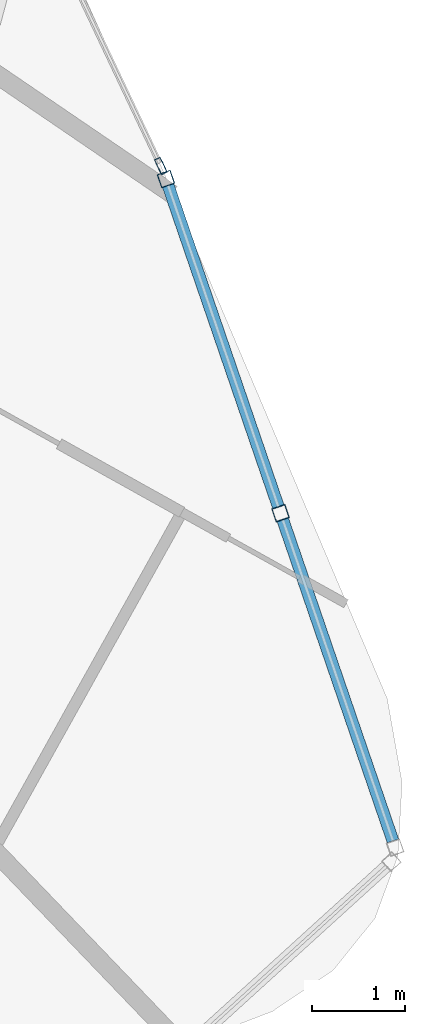
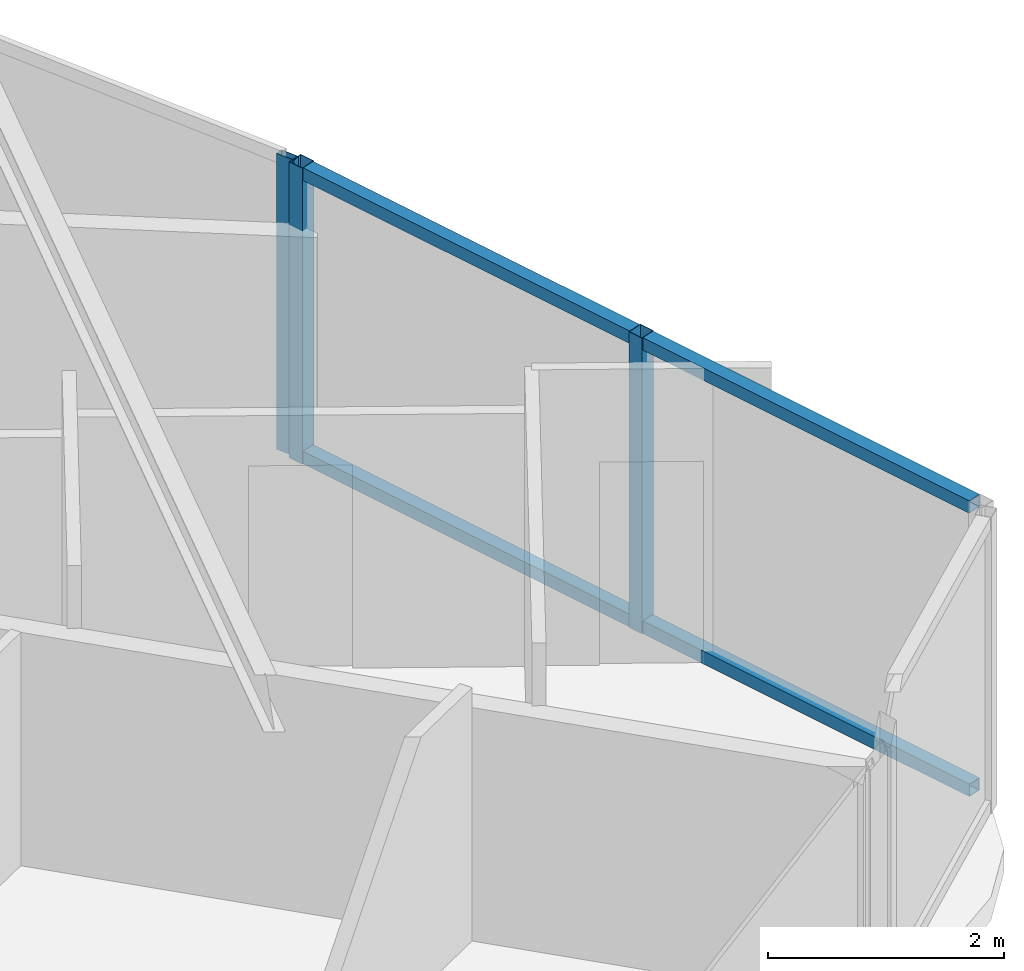
# One storey, part 16 of 34: 7 members, 2 elements without a shape of their own.
"""IFC4 building model written with IfcOpenShell, lengths in metres."""

from ifc_helpers import new_model, si_unit, direction, frame, origin, origin_2d, place, context, subcontext, project, spatial, hollow_rectangle, extrude, material, layer, layer_set, material_profile, profile_set, type_object, element, aggregate, save


model = new_model("IFC4")

# Units and contexts
model_context = context("Model", 3, precision=1e-05, world=origin(), true_north=direction((0.0, 1.0)))
body_context = subcontext(model_context, "Body", "Model", "MODEL_VIEW")
ifc_project = project(units=[si_unit("LENGTHUNIT", "METRE"), si_unit("AREAUNIT", "SQUARE_METRE"), si_unit("VOLUMEUNIT", "CUBIC_METRE"), si_unit("PLANEANGLEUNIT", "RADIAN"), si_unit("MASSUNIT", "GRAM", prefix="KILO")], contexts=[model_context])

# Site, building, storey
site_placement = place(None, origin())
site = spatial("IfcSite", under=ifc_project, at=site_placement, CompositionType="ELEMENT")
building_placement = place(site_placement, origin())
building = spatial("IfcBuilding", under=site, at=building_placement, Name="Orvanel Arch Residences", CompositionType="ELEMENT")
storey_placement = place(building_placement, frame((0.0, 0.0, 74.14990234375)))
storey = spatial("IfcBuildingStorey", under=building, at=storey_placement, Name="L20", CompositionType="ELEMENT", Elevation=74.14990234375)

# Curtain wall, members
ifc_material = material(Name="Bronze-anodised aluminium AA6063-T6", Category="aluminium")
ifc_layer_1 = layer(ifc_material, 0.18994140625)
ifc_layer_set_1 = layer_set([ifc_layer_1], Name="Bronze-anodised aluminium AA6063-T6")
curtain_wall_type_1 = type_object("IfcCurtainWallType", Name="CW5-CRN-SYS", PredefinedType="NOTDEFINED", material=ifc_layer_set_1)
curtain_wall_1_placement = place(storey_placement, origin())
curtain_wall_1 = element("IfcCurtainWall", 1, at=curtain_wall_1_placement, inside=storey, type_object=curtain_wall_type_1, Name="L20 CW5-CRN-SYS Unitised Curtain Wall", PredefinedType="NOTDEFINED")
ifc_material_profile_1 = material_profile(ifc_material, hollow_rectangle(XDim=0.14990234375, YDim=0.14990234375, WallThickness=0.0048828125, at=origin_2d()), Name="ALU150x150x5")
ifc_profile_set_1 = profile_set([ifc_material_profile_1], Name="Bronze-anodised aluminium AA6063-T6")
member_type_1 = type_object("IfcMemberType", Name="MUL-150x150", PredefinedType="MULLION", material=ifc_profile_set_1)
member_1_placement = place(storey_placement, frame((59.3359375, 9.900390625, 0.0), z_axis=(0.0, 0.0, 1.0), x_axis=(-0.945912167236, -0.324422828844, 0.0)))
member_1 = element("IfcMember", 2, at=member_1_placement, type_object=member_type_1, Name="CW-S5 mullion 2", PredefinedType="MULLION", context=body_context, shape_type="SweptSolid", body=[
    extrude(hollow_rectangle(XDim=0.14990234375, YDim=0.14990234375, WallThickness=0.0048828125, at=origin_2d()), origin(), (0.0, 0.0, 1.0), 3.06005859375),
])
member_2_placement = place(storey_placement, frame((58.097412109375, 13.511962890625, 0.0), z_axis=(0.0, 0.0, 1.0), x_axis=(-0.945912167236, -0.324422828844, 0.0)))
member_2 = element("IfcMember", 3, at=member_2_placement, type_object=member_type_1, Name="CW-S5 mullion 3", PredefinedType="MULLION", context=body_context, shape_type="SweptSolid", body=[
    extrude(hollow_rectangle(XDim=0.14990234375, YDim=0.14990234375, WallThickness=0.0048828125, at=origin_2d()), origin(), (0.0, 0.0, 1.0), 3.06005859375),
])

# Curtain wall, member
ifc_layer_2 = layer(ifc_material, 0.179931640625)
ifc_layer_set_2 = layer_set([ifc_layer_2], Name="Bronze-anodised aluminium AA6063-T6")
curtain_wall_type_2 = type_object("IfcCurtainWallType", Name="CW2-LOW-SYS", PredefinedType="NOTDEFINED", material=ifc_layer_set_2)
curtain_wall_2_placement = place(storey_placement, origin())
curtain_wall_2 = element("IfcCurtainWall", 4, at=curtain_wall_2_placement, inside=storey, type_object=curtain_wall_type_2, Name="L20 CW2-LOW-SYS Unitised Curtain Wall", PredefinedType="NOTDEFINED")
ifc_material_profile_2 = material_profile(ifc_material, hollow_rectangle(XDim=0.070068359375, YDim=0.179931640625, WallThickness=0.00439453125, at=origin_2d()), Name="ALU180x70x4.5")
ifc_profile_set_2 = profile_set([ifc_material_profile_2], Name="Bronze-anodised aluminium AA6063-T6")
member_type_2 = type_object("IfcMemberType", Name="MUL-180x70", PredefinedType="MULLION", material=ifc_profile_set_2)
member_3_placement = place(storey_placement, frame((58.04296875, 13.651611328125, 0.0), z_axis=(0.0, 0.0, 1.0), x_axis=(-0.903971140213, -0.427593472426, 0.0)))
member_3 = element("IfcMember", 5, at=member_3_placement, type_object=member_type_2, Name="CW-S2 mullion 1", PredefinedType="MULLION", context=body_context, shape_type="SweptSolid", body=[
    extrude(hollow_rectangle(XDim=0.070068359375, YDim=0.179931640625, WallThickness=0.00439453125, at=origin_2d()), origin(), (0.0, 0.0, 1.0), 3.06005859375),
])
aggregate(curtain_wall_2, [member_3])

# Member
ifc_material_profile_3 = material_profile(ifc_material, hollow_rectangle(XDim=0.1298828125, YDim=0.1298828125, WallThickness=0.00439453125, at=origin_2d()), Name="ALU130x130x4.5")
ifc_profile_set_3 = profile_set([ifc_material_profile_3], Name="Bronze-anodised aluminium AA6063-T6")
member_type_3 = type_object("IfcMemberType", Name="TRN-130x130", PredefinedType="USERDEFINED", material=ifc_profile_set_3)
member_4_placement = place(storey_placement, frame((60.55029296875, 6.35986328125, 0.065185546875), z_axis=(-0.324402597881, 0.945919105679, 0.0), x_axis=(-0.945919105679, -0.324402597881, 0.0)))
member_4 = element("IfcMember", 6, at=member_4_placement, type_object=member_type_3, Name="CW-S5 transom 1.1", ObjectType="TRANSOM", PredefinedType="USERDEFINED", context=body_context, shape_type="SweptSolid", body=[
    extrude(hollow_rectangle(XDim=0.1298828125, YDim=0.1298828125, WallThickness=0.00439453125, at=origin_2d()), origin(), (0.0, 0.0, 1.0), 3.668212890625),
])

member_5_placement = place(storey_placement, frame((60.55029296875, 6.35986328125, 2.9951171875), z_axis=(-0.324402597881, 0.945919105679, 0.0), x_axis=(-0.945919105679, -0.324402597881, 0.0)))
member_5 = element("IfcMember", 7, at=member_5_placement, type_object=member_type_3, Name="CW-S5 transom 1.2", ObjectType="TRANSOM", PredefinedType="USERDEFINED", context=body_context, shape_type="SweptSolid", body=[
    extrude(hollow_rectangle(XDim=0.1298828125, YDim=0.1298828125, WallThickness=0.00439453125, at=origin_2d()), origin(), (0.0, 0.0, 1.0), 3.668212890625),
])

member_6_placement = place(storey_placement, frame((59.311767578125, 9.971435546875, 0.065185546875), z_axis=(-0.324462149384, 0.945898680418, 0.0), x_axis=(-0.945898680418, -0.324462149384, 0.0)))
member_6 = element("IfcMember", 8, at=member_6_placement, type_object=member_type_3, Name="CW-S5 transom 2.1", ObjectType="TRANSOM", PredefinedType="USERDEFINED", context=body_context, shape_type="SweptSolid", body=[
    extrude(hollow_rectangle(XDim=0.1298828125, YDim=0.1298828125, WallThickness=0.00439453125, at=origin_2d()), origin(), (0.0, 0.0, 1.0), 3.668212890625),
])

member_7_placement = place(storey_placement, frame((59.311767578125, 9.971435546875, 2.9951171875), z_axis=(-0.324462149384, 0.945898680418, 0.0), x_axis=(-0.945898680418, -0.324462149384, 0.0)))
member_7 = element("IfcMember", 9, at=member_7_placement, type_object=member_type_3, Name="CW-S5 transom 2.2", ObjectType="TRANSOM", PredefinedType="USERDEFINED", context=body_context, shape_type="SweptSolid", body=[
    extrude(hollow_rectangle(XDim=0.1298828125, YDim=0.1298828125, WallThickness=0.00439453125, at=origin_2d()), origin(), (0.0, 0.0, 1.0), 3.668212890625),
])

aggregate(curtain_wall_1, [member_1, member_2, member_4, member_5, member_6, member_7])

save(model, "model.ifc")
